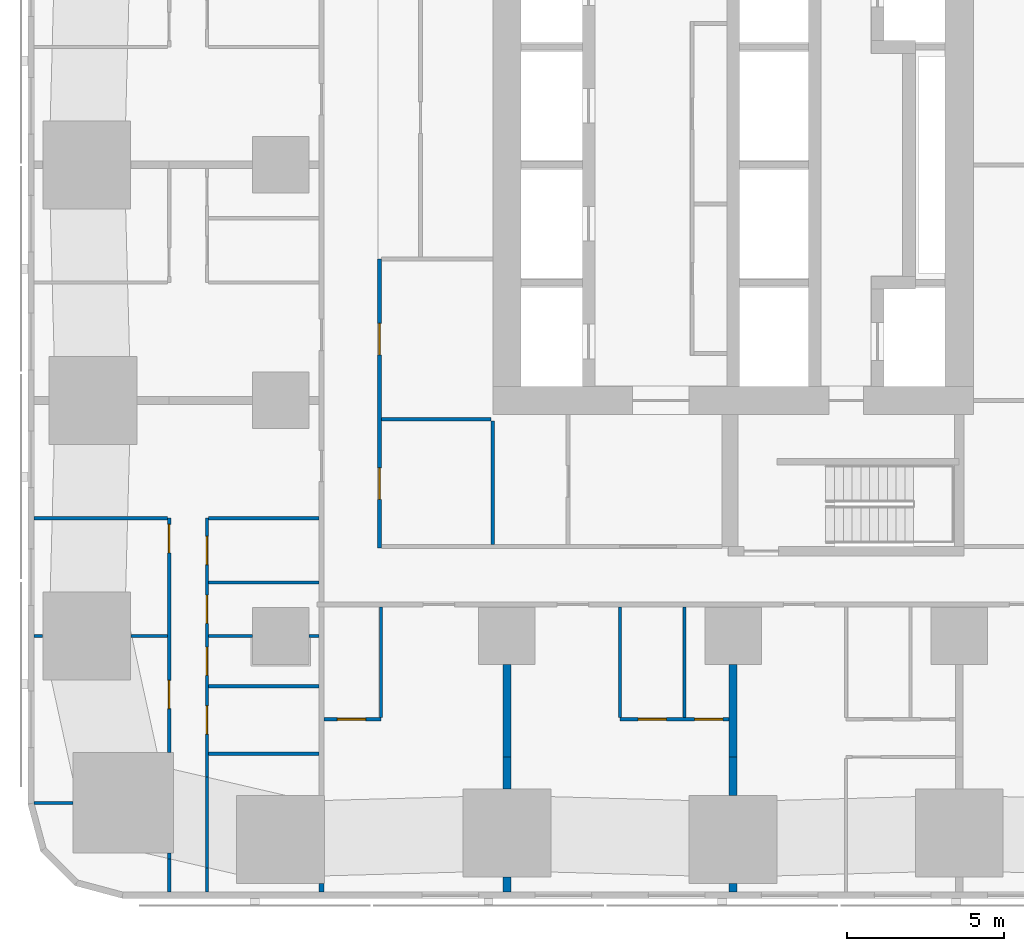
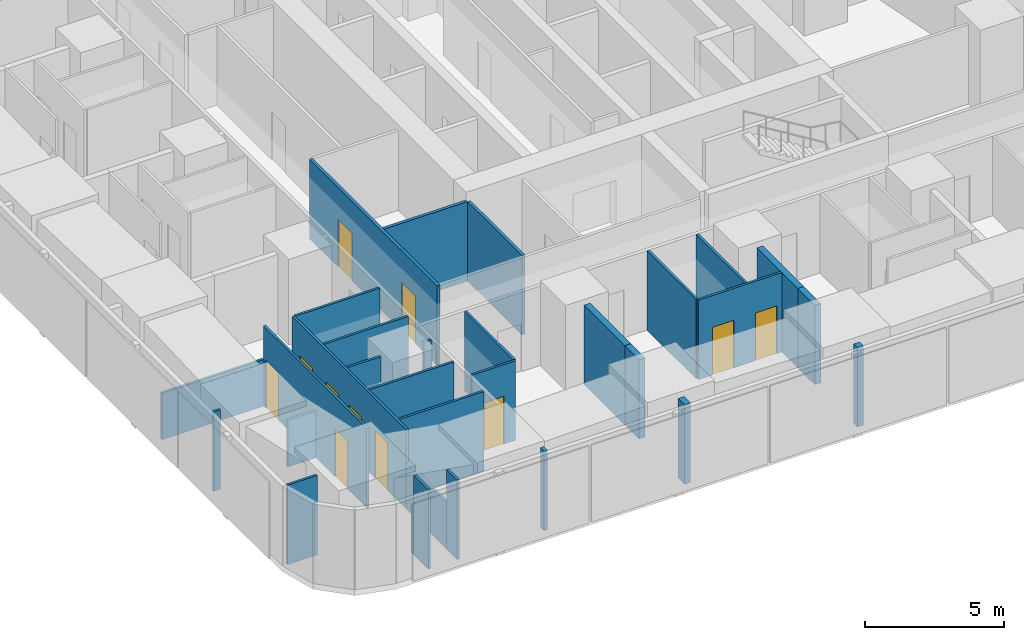
# One storey, part 2 of 15: 31 walls, 11 doors, 11 openings.
"""IFC4 building model written with IfcOpenShell, lengths in metres."""

from ifc_helpers import new_model, si_unit, direction, frame, frame_2d, origin, place, context, subcontext, project, spatial, rectangle, extrude, material, layer, layer_set, type_object, element, fill, save


model = new_model("IFC4")

# Units and contexts
model_context = context("Model", 3, precision=1e-05, world=origin(), true_north=direction((0.0, 1.0)))
body_context = subcontext(model_context, "Body", "Model", "MODEL_VIEW")
ifc_project = project(units=[si_unit("LENGTHUNIT", "METRE"), si_unit("AREAUNIT", "SQUARE_METRE"), si_unit("VOLUMEUNIT", "CUBIC_METRE"), si_unit("PLANEANGLEUNIT", "RADIAN"), si_unit("MASSUNIT", "GRAM", prefix="KILO")], contexts=[model_context])

# Site, building, storey
site_placement = place(None, origin())
site = spatial("IfcSite", under=ifc_project, at=site_placement, CompositionType="ELEMENT")
building_placement = place(site_placement, origin())
building = spatial("IfcBuilding", under=site, at=building_placement, Name="Sheger Commons Tower", CompositionType="ELEMENT")
storey_placement = place(building_placement, frame((0.0, 0.0, 50.0)))
storey = spatial("IfcBuildingStorey", under=building, at=storey_placement, Name="L12", CompositionType="ELEMENT", Elevation=50.0)

# Walls
ifc_material_1 = material(Name="Hollow concrete block masonry, skimmed both sides", Category="masonry")
ifc_layer_1 = layer(ifc_material_1, 0.14990234375)
ifc_layer_set_1 = layer_set([ifc_layer_1], Name="CORRIDOR WALL 150")
wall_type_1 = type_object("IfcWallType", Name="CORRIDOR WALL 150", PredefinedType="SOLIDWALL", material=ifc_layer_set_1)
wall_1_placement = place(storey_placement, frame((8.5, -0.64990234375, 0.0), z_axis=(0.0, 0.0, 1.0), x_axis=(0.0, 1.0, 0.0)))
element("IfcWall", 1, at=wall_1_placement, inside=storey, type_object=wall_type_1, Name="Corridor wall L12", PredefinedType="SOLIDWALL", context=body_context, shape_type="SweptSolid", body=[
    extrude(rectangle(XDim=0.27392578125, YDim=0.14990234375, at=frame_2d((0.136962890625, 0.0))), origin(), (0.0, 0.0, 1.0), 3.5),
])
ifc_material_2 = material(Name="Dense concrete block masonry, plastered both sides (separating wall between flats)", Category="masonry")
ifc_layer_2 = layer(ifc_material_2, 0.25)
ifc_layer_set_2 = layer_set([ifc_layer_2], Name="DEMISING WALL 250")
wall_type_2 = type_object("IfcWallType", Name="DEMISING WALL 250", PredefinedType="SOLIDWALL", material=ifc_layer_set_2)
wall_2_placement = place(storey_placement, frame((14.39990234375, -0.64990234375, 0.0), z_axis=(0.0, 0.0, 1.0), x_axis=(0.0, 1.0, 0.0)))
element("IfcWall", 2, at=wall_2_placement, inside=storey, type_object=wall_type_2, Name="Demising wall L12", PredefinedType="SOLIDWALL", context=body_context, shape_type="SweptSolid", body=[
    extrude(rectangle(XDim=0.473876953125, YDim=0.25, at=frame_2d((0.23681640625, 0.0))), origin(), (0.0, 0.0, 1.0), 3.5),
])
wall_3_placement = place(storey_placement, frame((14.39990234375, 2.6259765625, 0.0), z_axis=(0.0, 0.0, 1.0), x_axis=(0.0, 1.0, 0.0)))
element("IfcWall", 3, at=wall_3_placement, inside=storey, type_object=wall_type_2, Name="Demising wall L12", PredefinedType="SOLIDWALL", context=body_context, shape_type="SweptSolid", body=[
    extrude(rectangle(XDim=1.02392578125, YDim=0.25, at=frame_2d((0.511962890625, 0.0))), origin(), (0.0, 0.0, 1.0), 3.5),
])
wall_4_placement = place(storey_placement, frame((14.39990234375, 3.64990234375, 0.0), z_axis=(0.0, 0.0, 1.0), x_axis=(0.0, 1.0, 0.0)))
element("IfcWall", 4, at=wall_4_placement, inside=storey, type_object=wall_type_2, Name="Demising wall L12", PredefinedType="SOLIDWALL", context=body_context, shape_type="SweptSolid", body=[
    extrude(rectangle(XDim=2.94921875, YDim=0.25, at=frame_2d((1.474609375, 0.0))), origin(), (0.0, 0.0, 1.0), 3.5),
])
wall_5_placement = place(storey_placement, frame((21.60009765625, -0.64990234375, 0.0), z_axis=(0.0, 0.0, 1.0), x_axis=(0.0, 1.0, 0.0)))
element("IfcWall", 5, at=wall_5_placement, inside=storey, type_object=wall_type_2, Name="Demising wall L12", PredefinedType="SOLIDWALL", context=body_context, shape_type="SweptSolid", body=[
    extrude(rectangle(XDim=0.27392578125, YDim=0.25, at=frame_2d((0.136962890625, 0.0))), origin(), (0.0, 0.0, 1.0), 3.5),
])
wall_6_placement = place(storey_placement, frame((21.60009765625, 2.426025390625, 0.0), z_axis=(0.0, 0.0, 1.0), x_axis=(0.0, 1.0, 0.0)))
element("IfcWall", 6, at=wall_6_placement, inside=storey, type_object=wall_type_2, Name="Demising wall L12", PredefinedType="SOLIDWALL", context=body_context, shape_type="SweptSolid", body=[
    extrude(rectangle(XDim=1.223876953125, YDim=0.25, at=frame_2d((0.61181640625, 0.0))), origin(), (0.0, 0.0, 1.0), 3.5),
])
wall_7_placement = place(storey_placement, frame((21.60009765625, 3.64990234375, 0.0), z_axis=(0.0, 0.0, 1.0), x_axis=(0.0, 1.0, 0.0)))
element("IfcWall", 7, at=wall_7_placement, inside=storey, type_object=wall_type_2, Name="Demising wall L12", PredefinedType="SOLIDWALL", context=body_context, shape_type="SweptSolid", body=[
    extrude(rectangle(XDim=2.94921875, YDim=0.25, at=frame_2d((1.474609375, 0.0))), origin(), (0.0, 0.0, 1.0), 3.5),
])
ifc_material_3 = material(Name="Gypsum board on steel studs", Category="steel")
ifc_layer_3 = layer(ifc_material_3, 0.10009765625)
ifc_layer_set_3 = layer_set([ifc_layer_3], Name="PARTITION 100")
wall_type_3 = type_object("IfcWallType", Name="PARTITION 100", PredefinedType="PARTITIONING", material=ifc_layer_set_3)
wall_8_placement = place(storey_placement, frame((3.64990234375, -0.64990234375, 0.0), z_axis=(0.0, 0.0, 1.0), x_axis=(0.0, 1.0, 0.0)))
element("IfcWall", 8, at=wall_8_placement, inside=storey, type_object=wall_type_3, Name="Partition L12", PredefinedType="PARTITIONING", context=body_context, shape_type="SweptSolid", body=[
    extrude(rectangle(XDim=1.0478515625, YDim=0.10009765625, at=frame_2d((0.52392578125, 0.0))), origin(), (0.0, 0.0, 1.0), 3.5),
])
wall_9_placement = place(storey_placement, frame((3.64990234375, 0.39794921875, 0.0), z_axis=(0.0, 0.0, 1.0), x_axis=(0.0, 1.0, 0.0)))
element("IfcWall", 9, at=wall_9_placement, inside=storey, type_object=wall_type_3, Name="Partition L12", PredefinedType="PARTITIONING", context=body_context, shape_type="SweptSolid", body=[
    extrude(rectangle(XDim=0.18701171875, YDim=0.10009765625, at=frame_2d((0.093505859375, 0.0))), origin(), (0.0, 0.0, 1.0), 2.050048828125),
])

# Wall, openings, doors
wall_10_placement = place(storey_placement, frame((3.64990234375, 3.787109375, 0.0), z_axis=(0.0, 0.0, 1.0), x_axis=(0.0, 1.0, 0.0)))
wall_10 = element("IfcWall", 10, at=wall_10_placement, inside=storey, type_object=wall_type_3, Name="Partition L12", PredefinedType="PARTITIONING", context=body_context, shape_type="SweptSolid", body=[
    extrude(rectangle(XDim=7.462890625, YDim=0.10009765625, at=frame_2d((3.7314453125, 0.0))), origin(), (0.0, 0.0, 1.0), 3.5),
])
opening_1_placement = place(wall_10_placement, frame((6.363037109375, 0.0, 0.0)))
opening_1 = element("IfcOpeningElement", 11, at=opening_1_placement, cuts=wall_10, Name="Opening D2", PredefinedType="OPENING", context=body_context, shape_type="SweptSolid", body=[
    extrude(rectangle(XDim=0.89990234375, YDim=2.10009765625, at=frame_2d((0.449951171875, 1.050048828125))), frame((0.0, 0.06005859375, 0.0), z_axis=(0.0, -1.0, 0.0), x_axis=(1.0, 0.0, 0.0)), (0.0, 0.0, 1.0), 0.1201171875),
])
opening_2_placement = place(wall_10_placement, frame((1.39990234375, 0.0, 0.0)))
opening_2 = element("IfcOpeningElement", 12, at=opening_2_placement, cuts=wall_10, Name="Opening D2", PredefinedType="OPENING", context=body_context, shape_type="SweptSolid", body=[
    extrude(rectangle(XDim=0.89990234375, YDim=2.10009765625, at=frame_2d((0.449951171875, 1.050048828125))), frame((0.0, 0.06005859375, 0.0), z_axis=(0.0, -1.0, 0.0), x_axis=(1.0, 0.0, 0.0)), (0.0, 0.0, 1.0), 0.1201171875),
])
ifc_material_4 = material(Name="Timber door set", Category="wood")
door_type_1 = type_object("IfcDoorType", Name="INTERNAL DOOR 900x2100", OperationType="NOTDEFINED", PredefinedType="DOOR", material=ifc_material_4)
door_1_placement = place(opening_1_placement, origin())
door_1 = element("IfcDoor", 13, at=door_1_placement, inside=storey, type_object=door_type_1, Name="Main bedroom door", OperationType="SINGLE_SWING_RIGHT", OverallHeight=2.10009765625, OverallWidth=0.89990234375, PredefinedType="DOOR", context=body_context, shape_type="SweptSolid", body=[
    extrude(rectangle(XDim=0.89990234375, YDim=2.10009765625, at=frame_2d((0.449951171875, 1.050048828125))), frame((0.0, 0.02490234375, 0.0), z_axis=(0.0, -1.0, 0.0), x_axis=(1.0, 0.0, 0.0)), (0.0, 0.0, 1.0), 0.050048828125),
])
fill(opening_1, door_1)
door_2_placement = place(opening_2_placement, origin())
door_2 = element("IfcDoor", 14, at=door_2_placement, inside=storey, type_object=door_type_1, Name="Bedroom 2 door", OperationType="SINGLE_SWING_LEFT", OverallHeight=2.10009765625, OverallWidth=0.89990234375, PredefinedType="DOOR", context=body_context, shape_type="SweptSolid", body=[
    extrude(rectangle(XDim=0.89990234375, YDim=2.10009765625, at=frame_2d((0.449951171875, 1.050048828125))), frame((0.0, 0.02490234375, 0.0), z_axis=(0.0, -1.0, 0.0), x_axis=(1.0, 0.0, 0.0)), (0.0, 0.0, 1.0), 0.050048828125),
])
fill(opening_2, door_2)

# Walls
wall_11_placement = place(storey_placement, frame((4.85009765625, -0.64990234375, 0.0), z_axis=(0.0, 0.0, 1.0), x_axis=(0.0, 1.0, 0.0)))
element("IfcWall", 15, at=wall_11_placement, inside=storey, type_object=wall_type_3, Name="Partition L12", PredefinedType="PARTITIONING", context=body_context, shape_type="SweptSolid", body=[
    extrude(rectangle(XDim=0.77099609375, YDim=0.10009765625, at=frame_2d((0.385498046875, 0.0))), origin(), (0.0, 0.0, 1.0), 3.5),
])
wall_12_placement = place(storey_placement, frame((4.85009765625, 0.12109375, 0.0), z_axis=(0.0, 0.0, 1.0), x_axis=(0.0, 1.0, 0.0)))
element("IfcWall", 16, at=wall_12_placement, inside=storey, type_object=wall_type_3, Name="Partition L12", PredefinedType="PARTITIONING", context=body_context, shape_type="SweptSolid", body=[
    extrude(rectangle(XDim=2.89697265625, YDim=0.10009765625, at=frame_2d((1.448486328125, 0.0))), origin(), (0.0, 0.0, 1.0), 2.050048828125),
])

# Wall, openings, doors
wall_13_placement = place(storey_placement, frame((4.85009765625, 3.01806640625, 0.0), z_axis=(0.0, 0.0, 1.0), x_axis=(0.0, 1.0, 0.0)))
wall_13 = element("IfcWall", 17, at=wall_13_placement, inside=storey, type_object=wall_type_3, Name="Partition L12", PredefinedType="PARTITIONING", context=body_context, shape_type="SweptSolid", body=[
    extrude(rectangle(XDim=8.23193359375, YDim=0.10009765625, at=frame_2d((4.115966796875, 0.0))), origin(), (0.0, 0.0, 1.0), 3.5),
])
opening_3_placement = place(wall_13_placement, frame((6.757080078125, 0.0, 0.0)))
opening_3 = element("IfcOpeningElement", 18, at=opening_3_placement, cuts=wall_13, Name="Opening D2", PredefinedType="OPENING", context=body_context, shape_type="SweptSolid", body=[
    extrude(rectangle(XDim=0.89990234375, YDim=2.10009765625, at=frame_2d((0.449951171875, 1.050048828125))), frame((0.0, 0.06005859375, 0.0), z_axis=(0.0, -1.0, 0.0), x_axis=(1.0, 0.0, 0.0)), (0.0, 0.0, 1.0), 0.1201171875),
])
opening_4_placement = place(wall_13_placement, frame((3.23193359375, 0.0, 0.0)))
opening_4 = element("IfcOpeningElement", 19, at=opening_4_placement, cuts=wall_13, Name="Opening D2", PredefinedType="OPENING", context=body_context, shape_type="SweptSolid", body=[
    extrude(rectangle(XDim=0.89990234375, YDim=2.10009765625, at=frame_2d((0.449951171875, 1.050048828125))), frame((0.0, 0.06005859375, 0.0), z_axis=(0.0, -1.0, 0.0), x_axis=(1.0, 0.0, 0.0)), (0.0, 0.0, 1.0), 0.1201171875),
])
opening_5_placement = place(wall_13_placement, frame((4.882080078125, 0.0, 0.0)))
opening_5 = element("IfcOpeningElement", 20, at=opening_5_placement, cuts=wall_13, Name="Opening D2", PredefinedType="OPENING", context=body_context, shape_type="SweptSolid", body=[
    extrude(rectangle(XDim=0.89990234375, YDim=2.10009765625, at=frame_2d((0.449951171875, 1.050048828125))), frame((0.0, 0.06005859375, 0.0), z_axis=(0.0, -1.0, 0.0), x_axis=(1.0, 0.0, 0.0)), (0.0, 0.0, 1.0), 0.1201171875),
])
opening_6_placement = place(wall_13_placement, frame((1.35693359375, 0.0, 0.0)))
opening_6 = element("IfcOpeningElement", 21, at=opening_6_placement, cuts=wall_13, Name="Opening D2", PredefinedType="OPENING", context=body_context, shape_type="SweptSolid", body=[
    extrude(rectangle(XDim=0.89990234375, YDim=2.10009765625, at=frame_2d((0.449951171875, 1.050048828125))), frame((0.0, 0.06005859375, 0.0), z_axis=(0.0, -1.0, 0.0), x_axis=(1.0, 0.0, 0.0)), (0.0, 0.0, 1.0), 0.1201171875),
])
door_3_placement = place(opening_3_placement, origin())
door_3 = element("IfcDoor", 22, at=door_3_placement, inside=storey, type_object=door_type_1, Name="Bathroom door", OperationType="SINGLE_SWING_LEFT", OverallHeight=2.10009765625, OverallWidth=0.89990234375, PredefinedType="DOOR", context=body_context, shape_type="SweptSolid", body=[
    extrude(rectangle(XDim=0.89990234375, YDim=2.10009765625, at=frame_2d((0.449951171875, 1.050048828125))), frame((0.0, 0.02490234375, 0.0), z_axis=(0.0, -1.0, 0.0), x_axis=(1.0, 0.0, 0.0)), (0.0, 0.0, 1.0), 0.050048828125),
])
fill(opening_3, door_3)
door_4_placement = place(opening_4_placement, origin())
door_4 = element("IfcDoor", 23, at=door_4_placement, inside=storey, type_object=door_type_1, Name="Shower room door", OperationType="SINGLE_SWING_RIGHT", OverallHeight=2.10009765625, OverallWidth=0.89990234375, PredefinedType="DOOR", context=body_context, shape_type="SweptSolid", body=[
    extrude(rectangle(XDim=0.89990234375, YDim=2.10009765625, at=frame_2d((0.449951171875, 1.050048828125))), frame((0.0, 0.02490234375, 0.0), z_axis=(0.0, -1.0, 0.0), x_axis=(1.0, 0.0, 0.0)), (0.0, 0.0, 1.0), 0.050048828125),
])
fill(opening_4, door_4)
door_5_placement = place(opening_5_placement, origin())
door_5 = element("IfcDoor", 24, at=door_5_placement, inside=storey, type_object=door_type_1, Name="Store door", OperationType="SINGLE_SWING_RIGHT", OverallHeight=2.10009765625, OverallWidth=0.89990234375, PredefinedType="DOOR", context=body_context, shape_type="SweptSolid", body=[
    extrude(rectangle(XDim=0.89990234375, YDim=2.10009765625, at=frame_2d((0.449951171875, 1.050048828125))), frame((0.0, 0.02490234375, 0.0), z_axis=(0.0, -1.0, 0.0), x_axis=(1.0, 0.0, 0.0)), (0.0, 0.0, 1.0), 0.050048828125),
])
fill(opening_5, door_5)
door_6_placement = place(opening_6_placement, origin())
door_6 = element("IfcDoor", 25, at=door_6_placement, inside=storey, type_object=door_type_1, Name="Store door", OperationType="SINGLE_SWING_LEFT", OverallHeight=2.10009765625, OverallWidth=0.89990234375, PredefinedType="DOOR", context=body_context, shape_type="SweptSolid", body=[
    extrude(rectangle(XDim=0.89990234375, YDim=2.10009765625, at=frame_2d((0.449951171875, 1.050048828125))), frame((0.0, 0.02490234375, 0.0), z_axis=(0.0, -1.0, 0.0), x_axis=(1.0, 0.0, 0.0)), (0.0, 0.0, 1.0), 0.050048828125),
])
fill(opening_6, door_6)

# Walls
wall_14_placement = place(storey_placement, frame((-0.64990234375, 2.18603515625, 0.0), z_axis=(0.0, 0.0, 1.0), x_axis=(1.0, 0.0, 0.0)))
element("IfcWall", 26, at=wall_14_placement, inside=storey, type_object=wall_type_3, Name="Partition L12", PredefinedType="PARTITIONING", context=body_context, shape_type="SweptSolid", body=[
    extrude(rectangle(XDim=1.23486328125, YDim=0.10009765625, at=frame_2d((0.617431640625, 0.0))), origin(), (0.0, 0.0, 1.0), 3.5),
])
wall_15_placement = place(storey_placement, frame((-0.64990234375, 7.5, 0.0), z_axis=(0.0, 0.0, 1.0), x_axis=(1.0, 0.0, 0.0)))
element("IfcWall", 27, at=wall_15_placement, inside=storey, type_object=wall_type_3, Name="Partition L12", PredefinedType="PARTITIONING", context=body_context, shape_type="SweptSolid", body=[
    extrude(rectangle(XDim=0.27392578125, YDim=0.10009765625, at=frame_2d((0.136962890625, 0.0))), origin(), (0.0, 0.0, 1.0), 3.5),
])
wall_16_placement = place(storey_placement, frame((2.426025390625, 7.5, 0.0), z_axis=(0.0, 0.0, 1.0), x_axis=(1.0, 0.0, 0.0)))
element("IfcWall", 28, at=wall_16_placement, inside=storey, type_object=wall_type_3, Name="Partition L12", PredefinedType="PARTITIONING", context=body_context, shape_type="SweptSolid", body=[
    extrude(rectangle(XDim=1.174072265625, YDim=0.10009765625, at=frame_2d((0.5869140625, 0.0))), origin(), (0.0, 0.0, 1.0), 2.050048828125),
])
wall_17_placement = place(storey_placement, frame((-0.64990234375, 11.25, 0.0), z_axis=(0.0, 0.0, 1.0), x_axis=(1.0, 0.0, 0.0)))
element("IfcWall", 29, at=wall_17_placement, inside=storey, type_object=wall_type_3, Name="Partition L12", PredefinedType="PARTITIONING", context=body_context, shape_type="SweptSolid", body=[
    extrude(rectangle(XDim=4.25, YDim=0.10009765625, at=frame_2d((2.125, 0.0))), origin(), (0.0, 0.0, 1.0), 2.050048828125),
])
wall_18_placement = place(storey_placement, frame((4.89990234375, 3.75, 0.0), z_axis=(0.0, 0.0, 1.0), x_axis=(1.0, 0.0, 0.0)))
element("IfcWall", 30, at=wall_18_placement, inside=storey, type_object=wall_type_3, Name="Partition L12", PredefinedType="PARTITIONING", context=body_context, shape_type="SweptSolid", body=[
    extrude(rectangle(XDim=3.525146484375, YDim=0.10009765625, at=frame_2d((1.7626953125, 0.0))), origin(), (0.0, 0.0, 1.0), 3.5),
])
wall_19_placement = place(storey_placement, frame((4.89990234375, 7.5, 0.0), z_axis=(0.0, 0.0, 1.0), x_axis=(1.0, 0.0, 0.0)))
element("IfcWall", 31, at=wall_19_placement, inside=storey, type_object=wall_type_3, Name="Partition L12", PredefinedType="PARTITIONING", context=body_context, shape_type="SweptSolid", body=[
    extrude(rectangle(XDim=1.399169921875, YDim=0.10009765625, at=frame_2d((0.69970703125, 0.0))), origin(), (0.0, 0.0, 1.0), 3.5),
])
wall_20_placement = place(storey_placement, frame((8.10107421875, 7.5, 0.0), z_axis=(0.0, 0.0, 1.0), x_axis=(1.0, 0.0, 0.0)))
element("IfcWall", 32, at=wall_20_placement, inside=storey, type_object=wall_type_3, Name="Partition L12", PredefinedType="PARTITIONING", context=body_context, shape_type="SweptSolid", body=[
    extrude(rectangle(XDim=0.323974609375, YDim=0.10009765625, at=frame_2d((0.162109375, 0.0))), origin(), (0.0, 0.0, 1.0), 3.5),
])
for number, where, z_axis, x_axis, name in (
    (33, (4.89990234375, 11.25, 0.0), (0.0, 0.0, 1.0), (1.0, 0.0, 0.0), "Partition L12"),
    (34, (4.89990234375, 9.199951171875, 0.0), (0.0, 0.0, 1.0), (1.0, 0.0, 0.0), "Partition L12"),
    (35, (4.89990234375, 5.89990234375, 0.0), (0.0, 0.0, 1.0), (1.0, 0.0, 0.0), "Partition L12"),
):
    element("IfcWall", number, at=place(storey_placement, frame(where, z_axis=z_axis, x_axis=x_axis)), inside=storey, type_object=wall_type_3, Name=name, PredefinedType="PARTITIONING", context=body_context, shape_type="SweptSolid", body=[
        extrude(rectangle(XDim=3.525146484375, YDim=0.10009765625, at=frame_2d((1.7626953125, 0.0))), origin(), (0.0, 0.0, 1.0), 3.5),
    ])

# Wall, opening, door
wall_21_placement = place(storey_placement, frame((10.389892578125, 4.85009765625, 0.0), z_axis=(0.0, 0.0, 1.0), x_axis=(-1.0, 0.0, 0.0)))
wall_21 = element("IfcWall", 36, at=wall_21_placement, inside=storey, type_object=wall_type_3, Name="Partition L12", PredefinedType="PARTITIONING", context=body_context, shape_type="SweptSolid", body=[
    extrude(rectangle(XDim=1.81494140625, YDim=0.10009765625, at=frame_2d((0.907470703125, 0.0))), origin(), (0.0, 0.0, 1.0), 3.5),
])
opening_7_placement = place(wall_21_placement, frame((0.489990234375, 0.0, 0.0)))
opening_7 = element("IfcOpeningElement", 37, at=opening_7_placement, cuts=wall_21, Name="Opening D2", PredefinedType="OPENING", context=body_context, shape_type="SweptSolid", body=[
    extrude(rectangle(XDim=0.89990234375, YDim=2.10009765625, at=frame_2d((0.449951171875, 1.050048828125))), frame((0.0, 0.06005859375, 0.0), z_axis=(0.0, -1.0, 0.0), x_axis=(1.0, 0.0, 0.0)), (0.0, 0.0, 1.0), 0.1201171875),
])
door_7_placement = place(opening_7_placement, origin())
door_7 = element("IfcDoor", 38, at=door_7_placement, inside=storey, type_object=door_type_1, Name="Shower room door", OperationType="SINGLE_SWING_LEFT", OverallHeight=2.10009765625, OverallWidth=0.89990234375, PredefinedType="DOOR", context=body_context, shape_type="SweptSolid", body=[
    extrude(rectangle(XDim=0.89990234375, YDim=2.10009765625, at=frame_2d((0.449951171875, 1.050048828125))), frame((0.0, 0.02490234375, 0.0), z_axis=(0.0, -1.0, 0.0), x_axis=(1.0, 0.0, 0.0)), (0.0, 0.0, 1.0), 0.050048828125),
])
fill(opening_7, door_7)

# Wall
wall_22_placement = place(storey_placement, frame((10.389892578125, 4.89990234375, 0.0), z_axis=(0.0, 0.0, 1.0), x_axis=(0.0, 1.0, 0.0)))
element("IfcWall", 39, at=wall_22_placement, inside=storey, type_object=wall_type_3, Name="Partition L12", PredefinedType="PARTITIONING", context=body_context, shape_type="SweptSolid", body=[
    extrude(rectangle(XDim=3.525146484375, YDim=0.10009765625, at=frame_2d((1.7626953125, 0.0))), origin(), (0.0, 0.0, 1.0), 3.5),
])

# Wall, openings, doors
wall_23_placement = place(storey_placement, frame((21.47509765625, 4.85009765625, 0.0), z_axis=(0.0, 0.0, 1.0), x_axis=(-1.0, 0.0, 0.0)))
wall_23 = element("IfcWall", 40, at=wall_23_placement, inside=storey, type_object=wall_type_3, Name="Partition L12", PredefinedType="PARTITIONING", context=body_context, shape_type="SweptSolid", body=[
    extrude(rectangle(XDim=3.47509765625, YDim=0.10009765625, at=frame_2d((1.737548828125, 0.0))), origin(), (0.0, 0.0, 1.0), 3.5),
])
opening_8_placement = place(wall_23_placement, frame((2.0, 0.0, 0.0)))
opening_8 = element("IfcOpeningElement", 41, at=opening_8_placement, cuts=wall_23, Name="Opening D2", PredefinedType="OPENING", context=body_context, shape_type="SweptSolid", body=[
    extrude(rectangle(XDim=0.89990234375, YDim=2.10009765625, at=frame_2d((0.449951171875, 1.050048828125))), frame((0.0, 0.06005859375, 0.0), z_axis=(0.0, -1.0, 0.0), x_axis=(1.0, 0.0, 0.0)), (0.0, 0.0, 1.0), 0.1201171875),
])
opening_9_placement = place(wall_23_placement, frame((0.199951171875, 0.0, 0.0)))
opening_9 = element("IfcOpeningElement", 42, at=opening_9_placement, cuts=wall_23, Name="Opening D2", PredefinedType="OPENING", context=body_context, shape_type="SweptSolid", body=[
    extrude(rectangle(XDim=0.89990234375, YDim=2.10009765625, at=frame_2d((0.449951171875, 1.050048828125))), frame((0.0, 0.06005859375, 0.0), z_axis=(0.0, -1.0, 0.0), x_axis=(1.0, 0.0, 0.0)), (0.0, 0.0, 1.0), 0.1201171875),
])
door_8_placement = place(opening_8_placement, origin())
door_8 = element("IfcDoor", 43, at=door_8_placement, inside=storey, type_object=door_type_1, Name="Bathroom door", OperationType="SINGLE_SWING_LEFT", OverallHeight=2.10009765625, OverallWidth=0.89990234375, PredefinedType="DOOR", context=body_context, shape_type="SweptSolid", body=[
    extrude(rectangle(XDim=0.89990234375, YDim=2.10009765625, at=frame_2d((0.449951171875, 1.050048828125))), frame((0.0, 0.02490234375, 0.0), z_axis=(0.0, -1.0, 0.0), x_axis=(1.0, 0.0, 0.0)), (0.0, 0.0, 1.0), 0.050048828125),
])
fill(opening_8, door_8)
door_9_placement = place(opening_9_placement, origin())
door_9 = element("IfcDoor", 44, at=door_9_placement, inside=storey, type_object=door_type_1, Name="Store door", OperationType="SINGLE_SWING_RIGHT", OverallHeight=2.10009765625, OverallWidth=0.89990234375, PredefinedType="DOOR", context=body_context, shape_type="SweptSolid", body=[
    extrude(rectangle(XDim=0.89990234375, YDim=2.10009765625, at=frame_2d((0.449951171875, 1.050048828125))), frame((0.0, 0.02490234375, 0.0), z_axis=(0.0, -1.0, 0.0), x_axis=(1.0, 0.0, 0.0)), (0.0, 0.0, 1.0), 0.050048828125),
])
fill(opening_9, door_9)

# Walls
for number, where, z_axis, x_axis, name in (
    (45, (18.0, 4.89990234375, 0.0), (0.0, 0.0, 1.0), (0.0, 1.0, 0.0), "Partition L12"),
    (46, (20.050048828125, 4.89990234375, 0.0), (0.0, 0.0, 1.0), (0.0, 1.0, 0.0), "Partition L12"),
):
    element("IfcWall", number, at=place(storey_placement, frame(where, z_axis=z_axis, x_axis=x_axis)), inside=storey, type_object=wall_type_3, Name=name, PredefinedType="PARTITIONING", context=body_context, shape_type="SweptSolid", body=[
        extrude(rectangle(XDim=3.525146484375, YDim=0.10009765625, at=frame_2d((1.7626953125, 0.0))), origin(), (0.0, 0.0, 1.0), 3.5),
    ])

# Wall, openings, doors
ifc_material_5 = material(Name="Gypsum board on steel studs, two layers each side, fire rated", Category="steel")
ifc_layer_4 = layer(ifc_material_5, 0.125)
ifc_layer_set_4 = layer_set([ifc_layer_4], Name="SERVICE WALL 125")
wall_type_4 = type_object("IfcWallType", Name="SERVICE WALL 125", PredefinedType="PARTITIONING", material=ifc_layer_set_4)
wall_24_placement = place(storey_placement, frame((10.35009765625, 10.300048828125, 0.0), z_axis=(0.0, 0.0, 1.0), x_axis=(0.0, 1.0, 0.0)))
wall_24 = element("IfcWall", 47, at=wall_24_placement, inside=storey, type_object=wall_type_4, Name="Service room wall L12", PredefinedType="PARTITIONING", context=body_context, shape_type="SweptSolid", body=[
    extrude(rectangle(XDim=9.199951171875, YDim=0.125, at=frame_2d((4.60009765625, 0.0))), origin(), (0.0, 0.0, 1.0), 3.5),
])
opening_10_placement = place(wall_24_placement, frame((1.550048828125, 0.0, 0.0)))
opening_10 = element("IfcOpeningElement", 48, at=opening_10_placement, cuts=wall_24, Name="Opening D4", PredefinedType="OPENING", context=body_context, shape_type="SweptSolid", body=[
    extrude(rectangle(XDim=1.0, YDim=2.10009765625, at=frame_2d((0.5, 1.050048828125))), frame((0.0, 0.072509765625, 0.0), z_axis=(0.0, -1.0, 0.0), x_axis=(1.0, 0.0, 0.0)), (0.0, 0.0, 1.0), 0.14501953125),
])
opening_11_placement = place(wall_24_placement, frame((6.14990234375, 0.0, 0.0)))
opening_11 = element("IfcOpeningElement", 49, at=opening_11_placement, cuts=wall_24, Name="Opening D4", PredefinedType="OPENING", context=body_context, shape_type="SweptSolid", body=[
    extrude(rectangle(XDim=1.0, YDim=2.10009765625, at=frame_2d((0.5, 1.050048828125))), frame((0.0, 0.072509765625, 0.0), z_axis=(0.0, -1.0, 0.0), x_axis=(1.0, 0.0, 0.0)), (0.0, 0.0, 1.0), 0.14501953125),
])
ifc_material_6 = material(Name="Steel door set, fire rated", Category="steel")
door_type_2 = type_object("IfcDoorType", Name="SERVICE DOOR 1000x2100", OperationType="NOTDEFINED", PredefinedType="DOOR", material=ifc_material_6)
door_10_placement = place(opening_10_placement, origin())
door_10 = element("IfcDoor", 50, at=door_10_placement, inside=storey, type_object=door_type_2, Name="Refuse chute room door", OperationType="SINGLE_SWING_RIGHT", OverallHeight=2.10009765625, OverallWidth=1.0, PredefinedType="DOOR", context=body_context, shape_type="SweptSolid", body=[
    extrude(rectangle(XDim=1.0, YDim=2.10009765625, at=frame_2d((0.5, 1.050048828125))), frame((0.0, 0.02490234375, 0.0), z_axis=(0.0, -1.0, 0.0), x_axis=(1.0, 0.0, 0.0)), (0.0, 0.0, 1.0), 0.050048828125),
])
fill(opening_10, door_10)
door_11_placement = place(opening_11_placement, origin())
door_11 = element("IfcDoor", 51, at=door_11_placement, inside=storey, type_object=door_type_2, Name="Caretaker's store door", OperationType="SINGLE_SWING_LEFT", OverallHeight=2.10009765625, OverallWidth=1.0, PredefinedType="DOOR", context=body_context, shape_type="SweptSolid", body=[
    extrude(rectangle(XDim=1.0, YDim=2.10009765625, at=frame_2d((0.5, 1.050048828125))), frame((0.0, 0.02490234375, 0.0), z_axis=(0.0, -1.0, 0.0), x_axis=(1.0, 0.0, 0.0)), (0.0, 0.0, 1.0), 0.050048828125),
])
fill(opening_11, door_11)

# Walls
wall_25_placement = place(storey_placement, frame((10.4130859375, 14.39990234375, 0.0), z_axis=(0.0, 0.0, 1.0), x_axis=(1.0, 0.0, 0.0)))
element("IfcWall", 52, at=wall_25_placement, inside=storey, type_object=wall_type_4, Name="Service room wall L12", PredefinedType="PARTITIONING", context=body_context, shape_type="SweptSolid", body=[
    extrude(rectangle(XDim=3.474853515625, YDim=0.125, at=frame_2d((1.7373046875, 0.0))), origin(), (0.0, 0.0, 1.0), 3.5),
])
wall_26_placement = place(storey_placement, frame((13.949951171875, 10.4130859375, 0.0), z_axis=(0.0, 0.0, 1.0), x_axis=(0.0, 1.0, 0.0)))
element("IfcWall", 53, at=wall_26_placement, inside=storey, type_object=wall_type_4, Name="Service room wall L12", PredefinedType="PARTITIONING", context=body_context, shape_type="SweptSolid", body=[
    extrude(rectangle(XDim=3.9248046875, YDim=0.125, at=frame_2d((1.96240234375, 0.0))), origin(), (0.0, 0.0, 1.0), 3.5),
])

save(model, "model.ifc")
